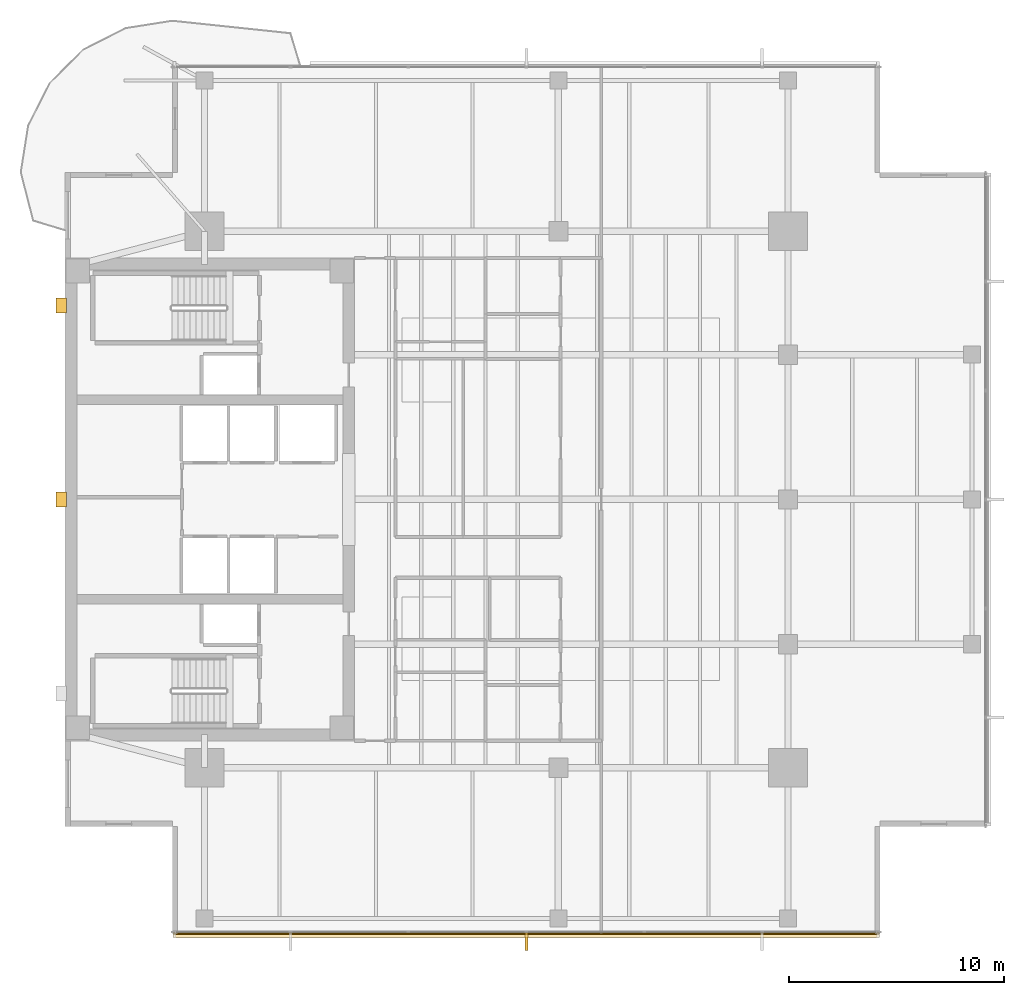
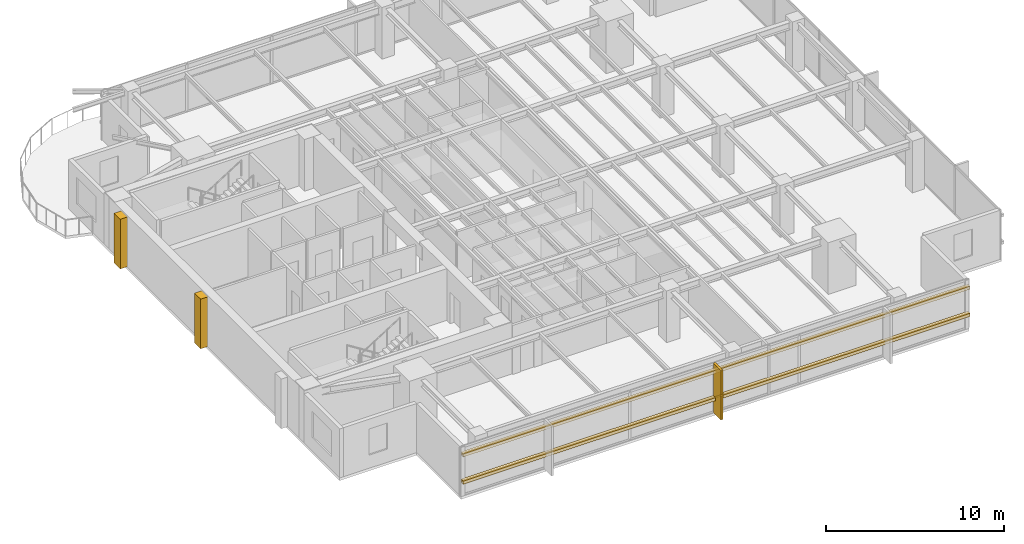
# One storey, part 12 of 14: 5 coverings, 2 shading devices.
"""IFC4 building model written with IfcOpenShell, lengths in metres."""

from ifc_helpers import new_model, si_unit, direction, frame, origin, origin_2d, place, context, subcontext, project, spatial, polyline, rectangle, outline, extrude, material, layer, layer_set, material_profile, profile_set, type_object, element, save


model = new_model("IFC4")

# Units and contexts
model_context = context("Model", 3, precision=1e-05, world=origin(), true_north=direction((0.0, 1.0)))
body_context = subcontext(model_context, "Body", "Model", "MODEL_VIEW")
ifc_project = project(units=[si_unit("LENGTHUNIT", "METRE"), si_unit("AREAUNIT", "SQUARE_METRE"), si_unit("VOLUMEUNIT", "CUBIC_METRE"), si_unit("PLANEANGLEUNIT", "RADIAN"), si_unit("MASSUNIT", "GRAM", prefix="KILO")], contexts=[model_context])

# Site, building, storey
site_placement = place(None, origin())
site = spatial("IfcSite", under=ifc_project, at=site_placement, CompositionType="ELEMENT")
building_placement = place(site_placement, origin())
building = spatial("IfcBuilding", under=site, at=building_placement, Name="Kinhvarn Gate Tower", CompositionType="ELEMENT")
storey_placement = place(building_placement, frame((0.0, 0.0, 198.699951171875)))
storey = spatial("IfcBuildingStorey", under=building, at=storey_placement, Name="L52", CompositionType="ELEMENT", Elevation=198.699951171875)

# Coverings
ifc_material_1 = material(Name="Fired architectural terracotta", Category="masonry")
ifc_layer_1 = layer(ifc_material_1, 0.239990234375)
ifc_layer_set_1 = layer_set([ifc_layer_1], Name="Fired architectural terracotta")
covering_type_1 = type_object("IfcCoveringType", Name="COV-BAG-220", PredefinedType="CLADDING", material=ifc_layer_set_1)
covering_1_placement = place(storey_placement, frame((0.0, 0.0, 0.93994140625)))
element("IfcCovering", 1, at=covering_1_placement, inside=storey, type_object=covering_type_1, Name="Terracotta Horizontal Sunscreen Band TBG-220 (L52)", PredefinedType="CLADDING", context=body_context, shape_type="SweptSolid", body=[
    extrude(outline(polyline([(9.5400390625, 5.070068359375), (42.4599609375, 5.070068359375), (42.4599609375, 4.830078125), (9.5400390625, 4.830078125), (9.5400390625, 5.070068359375)])), origin(), (0.0, 0.0, 1.0), 0.22021484375),
])
covering_2_placement = place(storey_placement, frame((0.0, 0.0, 2.81005859375)))
element("IfcCovering", 2, at=covering_2_placement, inside=storey, type_object=covering_type_1, Name="Terracotta Horizontal Sunscreen Band TBG-220 (L52)", PredefinedType="CLADDING", context=body_context, shape_type="SweptSolid", body=[
    extrude(outline(polyline([(9.5400390625, 5.070068359375), (42.4599609375, 5.070068359375), (42.4599609375, 4.830078125), (9.5400390625, 4.830078125), (9.5400390625, 5.070068359375)])), origin(), (0.0, 0.0, 1.0), 0.219970703125),
])
ifc_layer_2 = layer(ifc_material_1, 0.139892578125)
ifc_layer_set_2 = layer_set([ifc_layer_2], Name="Fired architectural terracotta")
covering_type_2 = type_object("IfcCoveringType", Name="COV-FIN-850", PredefinedType="CLADDING", material=ifc_layer_set_2)
covering_3_placement = place(storey_placement, frame((0.0, 0.0, -0.02001953125)))
element("IfcCovering", 3, at=covering_3_placement, inside=storey, type_object=covering_type_2, Name="Vertical Terracotta Expressive Fin TFN-850 (L52)", PredefinedType="CLADDING", context=body_context, shape_type="SweptSolid", body=[
    extrude(outline(polyline([(25.929931640625, 5.080078125), (26.070068359375, 5.080078125), (26.070068359375, 4.22998046875), (25.929931640625, 4.22998046875), (25.929931640625, 5.080078125)])), origin(), (0.0, 0.0, 1.0), 3.41015625),
])
ifc_material_2 = material(Name="Precast white architectural concrete C40/50", Category="concrete")
ifc_layer_3 = layer(ifc_material_2, 0.47998046875)
ifc_layer_set_3 = layer_set([ifc_layer_3], Name="Precast white architectural concrete C40/50")
covering_type_3 = type_object("IfcCoveringType", Name="COV-RIB-450", PredefinedType="CLADDING", material=ifc_layer_set_3)
covering_4_placement = place(storey_placement, frame((0.0, 0.0, -0.02001953125)))
element("IfcCovering", 4, at=covering_4_placement, inside=storey, type_object=covering_type_3, Name="West Core Sculptural Concrete Relief Rib CRB-450 (L52)", PredefinedType="CLADDING", context=body_context, shape_type="SweptSolid", body=[
    extrude(outline(polyline([(4.080078125, 24.89990234375), (4.56005859375, 24.89990234375), (4.56005859375, 25.60009765625), (4.080078125, 25.60009765625), (4.080078125, 24.89990234375)])), origin(), (0.0, 0.0, 1.0), 3.41015625),
])
covering_5_placement = place(storey_placement, frame((0.0, 0.0, -0.02001953125)))
element("IfcCovering", 5, at=covering_5_placement, inside=storey, type_object=covering_type_3, Name="West Core Sculptural Concrete Relief Rib CRB-450 (L52)", PredefinedType="CLADDING", context=body_context, shape_type="SweptSolid", body=[
    extrude(outline(polyline([(4.080078125, 33.949951171875), (4.56005859375, 33.949951171875), (4.56005859375, 34.64990234375), (4.080078125, 34.64990234375), (4.080078125, 33.949951171875)])), origin(), (0.0, 0.0, 1.0), 3.41015625),
])

# Shading devices
ifc_material_profile = material_profile(ifc_material_1, rectangle(XDim=0.050048828125, YDim=0.1201171875, at=origin_2d()), Name="TC 50x120")
ifc_profile_set = profile_set([ifc_material_profile], Name="Fired architectural terracotta")
shading_device_type = type_object("IfcShadingDeviceType", Name="SHD-BAG-140", PredefinedType="USERDEFINED", material=ifc_profile_set)
for number, where, z_axis, x_axis, name in (
    (6, (9.5400390625, 5.0, 1.050048828125), (1.0, 0.0, 0.0), (0.0, 1.0, 0.0), "Upper Tower Terracotta Baguette Screen Rod 50x120 mm (L52)"),
    (7, (9.5400390625, 5.0, 2.920166015625), (1.0, 0.0, 0.0), (0.0, 1.0, 0.0), "Upper Tower Terracotta Baguette Screen Rod 50x120 mm (L52)"),
):
    element("IfcShadingDevice", number, at=place(storey_placement, frame(where, z_axis=z_axis, x_axis=x_axis)), inside=storey, type_object=shading_device_type, Name=name, ObjectType="BAGUETTE", PredefinedType="USERDEFINED", context=body_context, shape_type="SweptSolid", body=[
        extrude(rectangle(XDim=0.050048828125, YDim=0.1201171875, at=origin_2d()), origin(), (0.0, 0.0, 1.0), 32.919921875),
    ])

save(model, "model.ifc")
